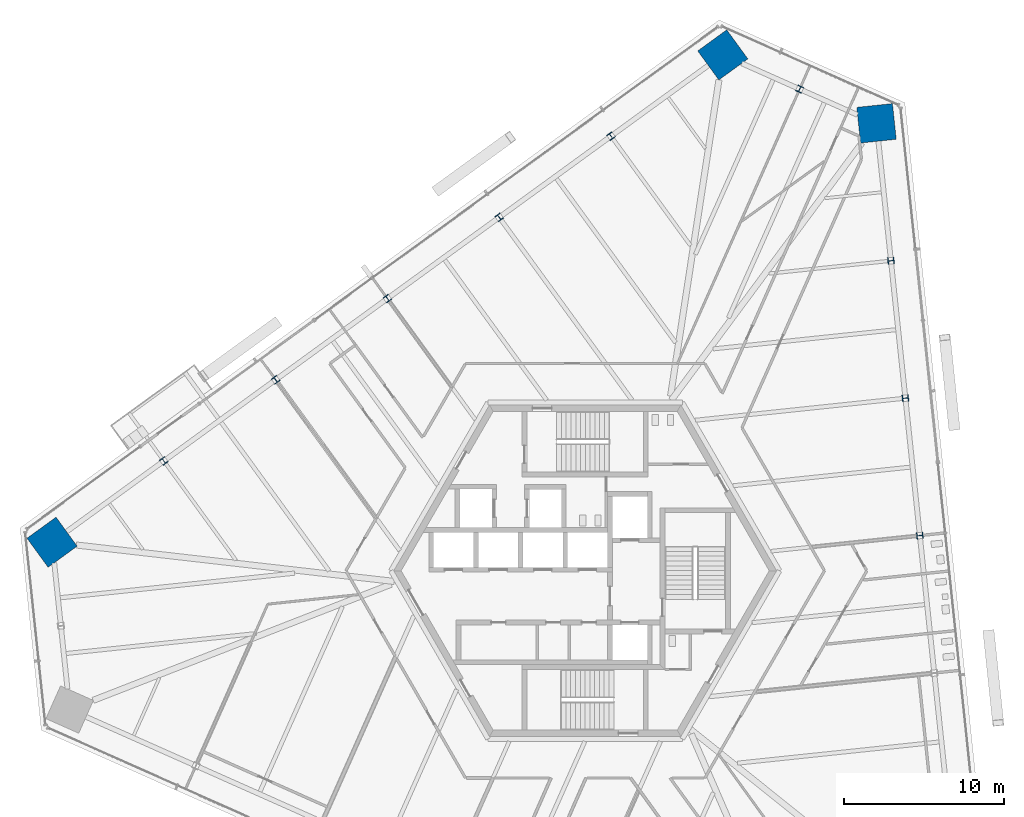
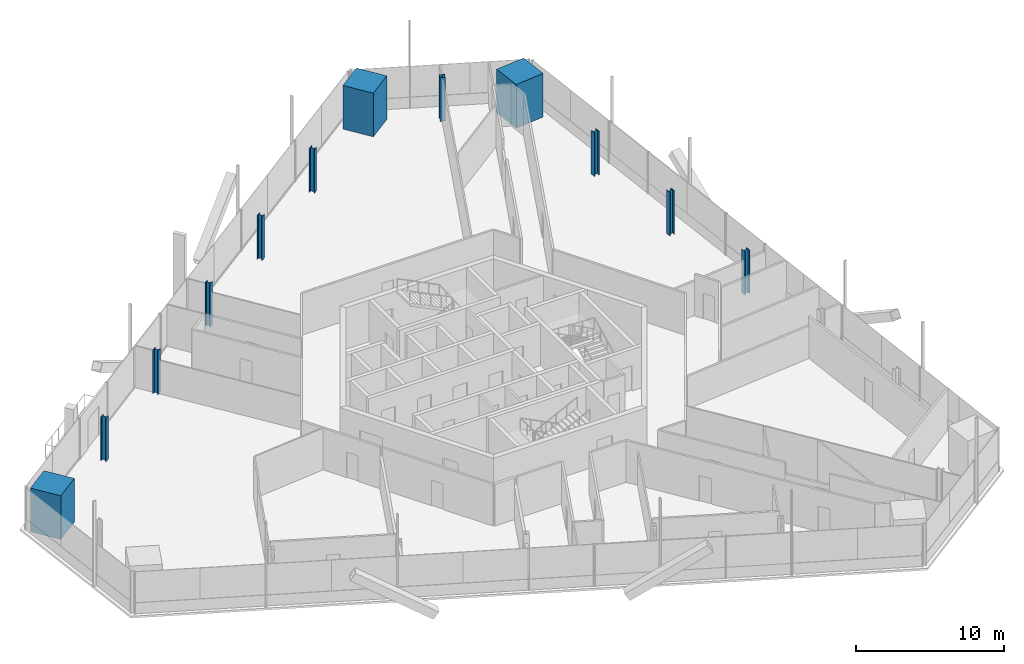
# One storey, part 2 of 21: 12 columns.
"""IFC4 building model written with IfcOpenShell, lengths in metres."""

import ifcopenshell
import ifcopenshell.guid

model = None  # the IFC model being written
_history = None  # IfcOwnerHistory: only IFC2X3 demands one
_inside = {}  # id of a spatial element -> (the spatial element, [elements in it])
_under = {}  # id of a project, library or spatial element -> (it, [spatial elements below it])
_declared = {}  # id of a project -> (the project, [libraries it declares])
_typed = {}  # id of a type object -> (the type object, [elements of that type])
_made_of = {}  # id of a material, layer set ... -> (it, [elements and type objects made of it])


def new_model(schema):
    """Start an empty IFC model of exactly this schema.

    Asked for "IFC4X3", IfcOpenShell would pick the latest addendum, in which some entities
    have other attributes; the version numbers below select the first issue.
    IFC2X3 requires an IfcOwnerHistory on every rooted entity: one is made here for all.
    """
    global model, _history
    if schema == "IFC4X3":
        model = ifcopenshell.file(schema_version=(4, 3, 0, 0))
    else:
        model = ifcopenshell.file(schema=schema)
    _inside.clear()
    _under.clear()
    _declared.clear()
    _typed.clear()
    _made_of.clear()
    _history = None
    if model.schema == "IFC2X3":
        org = make("IfcOrganization", Name="unknown")
        user = make(
            "IfcPersonAndOrganization",
            ThePerson=make("IfcPerson", FamilyName="unknown"),
            TheOrganization=org,
        )
        app = make(
            "IfcApplication",
            ApplicationDeveloper=org,
            Version="unknown",
            ApplicationFullName="unknown",
            ApplicationIdentifier="unknown",
        )
        _history = make(
            "IfcOwnerHistory",
            OwningUser=user,
            OwningApplication=app,
            ChangeAction="ADDED",
            CreationDate=0,
        )
    return model


def make(cls, **values):
    """One entity of the class cls with the attributes given. An attribute that is None is left unset."""
    return model.create_entity(
        cls, **{name: value for name, value in values.items() if value is not None}
    )


def rooted(cls, **values):
    """An entity with a GlobalId (a new one), such as an element, a storey or a relation."""
    return make(cls, GlobalId=ifcopenshell.guid.new(), OwnerHistory=_history, **values)


def si_unit(unit_type, name, prefix=None):
    """IfcSIUnit, for example si_unit("LENGTHUNIT", "METRE", prefix="MILLI")."""
    return make("IfcSIUnit", UnitType=unit_type, Prefix=prefix, Name=name)


def assignment(units):
    """IfcUnitAssignment: the units of a project."""
    return None if units is None else make("IfcUnitAssignment", Units=units)


def point(xyz):
    """IfcCartesianPoint."""
    return None if xyz is None else make("IfcCartesianPoint", Coordinates=xyz)


def direction(xyz):
    """IfcDirection."""
    return None if xyz is None else make("IfcDirection", DirectionRatios=xyz)


def frame(location, z_axis=None, x_axis=None):
    """IfcAxis2Placement3D, a coordinate frame: its origin and axes. An axis left out is left unset."""
    return make(
        "IfcAxis2Placement3D",
        Location=point(location),
        Axis=direction(z_axis),
        RefDirection=direction(x_axis),
    )


def frame_2d(location, x_axis=None):
    """IfcAxis2Placement2D, a coordinate frame in the plane: its origin and x axis."""
    return make(
        "IfcAxis2Placement2D", Location=point(location), RefDirection=direction(x_axis)
    )


def origin():
    """The frame at (0, 0, 0) with its axes left unset."""
    return frame((0.0, 0.0, 0.0))


def origin_2d():
    """The frame at (0, 0) in the plane with its x axis left unset."""
    return frame_2d((0.0, 0.0))


def place(relative_to, where):
    """IfcLocalPlacement: puts the frame where relative to a parent placement (None: the world)."""
    return make(
        "IfcLocalPlacement", PlacementRelTo=relative_to, RelativePlacement=where
    )


def context(
    kind, dimensions, precision=None, world=None, true_north=None, identifier=None
):
    """IfcGeometricRepresentationContext, for example the 3D "Model" context."""
    return make(
        "IfcGeometricRepresentationContext",
        ContextIdentifier=identifier,
        ContextType=kind,
        CoordinateSpaceDimension=dimensions,
        Precision=precision,
        WorldCoordinateSystem=world,
        TrueNorth=true_north,
    )


def subcontext(parent, identifier, kind, view, scale=None):
    """IfcGeometricRepresentationSubContext, for example "Body" below "Model"."""
    return make(
        "IfcGeometricRepresentationSubContext",
        ContextIdentifier=identifier,
        ContextType=kind,
        ParentContext=parent,
        TargetScale=scale,
        TargetView=view,
    )


def project(units=None, contexts=None):
    """IfcProject with its units and contexts."""
    return rooted(
        "IfcProject",
        Name="project",
        RepresentationContexts=contexts,
        UnitsInContext=assignment(units),
    )


def spatial(cls, under=None, at=None, **own):
    """A site, building, storey or space (cls), placed at a placement, below another one or the project."""
    s = rooted(cls, ObjectPlacement=at, **own)
    if under is not None:
        _under.setdefault(under.id(), (under, []))[1].append(s)
    return s


def profile(cls, at=None, kind="AREA", **sizes):
    """A parametric profile (cls). Its sizes go by their IFC names, for example OverallWidth=200.0."""
    return make(cls, ProfileType=kind, Position=at, **sizes)


def rectangle(**sizes):
    """IfcRectangleProfileDef."""
    return profile("IfcRectangleProfileDef", **sizes)


def i_section(**sizes):
    """IfcIShapeProfileDef."""
    return profile("IfcIShapeProfileDef", **sizes)


def extrude(swept, where, along, depth):
    """IfcExtrudedAreaSolid: the profile swept, set in the frame where, extruded along a direction by depth."""
    return make(
        "IfcExtrudedAreaSolid",
        SweptArea=swept,
        Position=where,
        ExtrudedDirection=direction(along),
        Depth=depth,
    )


def shape(context_of_items, identifier, shape_type, items):
    """IfcShapeRepresentation: the items that make up one representation, for example the "Body"."""
    return make(
        "IfcShapeRepresentation",
        ContextOfItems=context_of_items,
        RepresentationIdentifier=identifier,
        RepresentationType=shape_type,
        Items=items,
    )


def source(mapping_origin, context_of_items, identifier, shape_type, items):
    """IfcRepresentationMap: a shape defined once, which mapped items show again and again."""
    return make(
        "IfcRepresentationMap",
        MappingOrigin=mapping_origin,
        MappedRepresentation=shape(context_of_items, identifier, shape_type, items),
    )


def transform(
    local_origin,
    x_axis=None,
    y_axis=None,
    z_axis=None,
    scale=None,
    scale2=None,
    scale3=None,
    uniform=True,
):
    """IfcCartesianTransformationOperator3D, or its non-uniform kind. x_axis, y_axis, z_axis: its Axis1, 2, 3."""
    if uniform:
        return make(
            "IfcCartesianTransformationOperator3D",
            Axis1=direction(x_axis),
            Axis2=direction(y_axis),
            LocalOrigin=point(local_origin),
            Scale=scale,
            Axis3=direction(z_axis),
        )
    return make(
        "IfcCartesianTransformationOperator3DnonUniform",
        Axis1=direction(x_axis),
        Axis2=direction(y_axis),
        LocalOrigin=point(local_origin),
        Scale=scale,
        Axis3=direction(z_axis),
        Scale2=scale2,
        Scale3=scale3,
    )


def mapped(mapping_source, mapping_target):
    """IfcMappedItem: shows the shape of a source again, moved by a transform."""
    return make(
        "IfcMappedItem", MappingSource=mapping_source, MappingTarget=mapping_target
    )


def material(Name=None, Category=None):
    """IfcMaterial."""
    return make("IfcMaterial", Name=Name, Category=Category)


def material_profile(
    of_material, cross_section, Name=None, Category=None, Priority=None
):
    """IfcMaterialProfile: a cross section and its material."""
    return make(
        "IfcMaterialProfile",
        Name=Name,
        Material=of_material,
        Profile=cross_section,
        Priority=Priority,
        Category=Category,
    )


def profile_set(profiles, Name=None, composite=None):
    """IfcMaterialProfileSet."""
    return make(
        "IfcMaterialProfileSet",
        Name=Name,
        MaterialProfiles=profiles,
        CompositeProfile=composite,
    )


def made_of(thing, what):
    """Note that an element or type object is made of a material, layer set ...; save() writes the relation."""
    if what is not None:
        _made_of.setdefault(what.id(), (what, []))[1].append(thing)
    return thing


def type_object(cls, material=None, **own):
    """A type object (cls), such as IfcWallType, which elements share."""
    return made_of(rooted(cls, **own), material)


def element(
    cls,
    number,
    at=None,
    inside=None,
    cuts=None,
    type_object=None,
    material=None,
    context=None,
    identifier="Body",
    shape_type=None,
    held_by="IfcProductDefinitionShape",
    body=None,
    shapes=None,
    **own,
):
    """One element of the class cls, such as IfcWall. Its Tag is "e" and its number.

    at: its placement. inside: the storey or other place that contains it. cuts: it is an
    opening in that element (IfcRelVoidsElement). A single representation is given by context,
    identifier, shape_type and body (its items); several are given by shapes. held_by: the class
    of the entity that holds the representations. save() writes the other relations.
    """
    e = rooted(cls, Tag="e%d" % number, ObjectPlacement=at, **own)
    if body is not None:
        shapes = [shape(context, identifier, shape_type, body)]
    if shapes is not None:
        e.Representation = make(held_by, Representations=shapes)
    if inside is not None:
        _inside.setdefault(inside.id(), (inside, []))[1].append(e)
    if cuts is not None:
        rooted(
            "IfcRelVoidsElement", RelatingBuildingElement=cuts, RelatedOpeningElement=e
        )
    if type_object is not None:
        _typed.setdefault(type_object.id(), (type_object, []))[1].append(e)
    return made_of(e, material)


def aggregate(whole, parts):
    """IfcRelAggregates: a whole, such as a stair, and the parts it consists of."""
    return rooted("IfcRelAggregates", RelatingObject=whole, RelatedObjects=parts)


def save(model, path):
    """Write the relations noted so far, then the file.

    IfcRelAggregates (storeys below a building ...), IfcRelContainedInSpatialStructure (elements
    in a storey), IfcRelDefinesByType, IfcRelAssociatesMaterial and IfcRelDeclares: one each for
    every whole, place, type object, material and project.
    """
    for whole, parts in _under.values():
        aggregate(whole, parts)
    for where, things in _inside.values():
        rooted(
            "IfcRelContainedInSpatialStructure",
            RelatedElements=things,
            RelatingStructure=where,
        )
    for kind, things in _typed.values():
        rooted("IfcRelDefinesByType", RelatedObjects=things, RelatingType=kind)
    for what, things in _made_of.values():
        rooted("IfcRelAssociatesMaterial", RelatedObjects=things, RelatingMaterial=what)
    for by, libraries in _declared.values():
        rooted("IfcRelDeclares", RelatingContext=by, RelatedDefinitions=libraries)
    model.write(path)


model = new_model("IFC4")

# Units and contexts
model_context = context("Model", 3, precision=1e-05, world=origin(), true_north=direction((0.0, 1.0)))
body_context = subcontext(model_context, "Body", "Model", "MODEL_VIEW")
ifc_project = project(units=[si_unit("LENGTHUNIT", "METRE"), si_unit("AREAUNIT", "SQUARE_METRE"), si_unit("VOLUMEUNIT", "CUBIC_METRE"), si_unit("PLANEANGLEUNIT", "RADIAN"), si_unit("MASSUNIT", "GRAM", prefix="KILO")], contexts=[model_context])

# Site, building, storey
site_placement = place(None, origin())
site = spatial("IfcSite", under=ifc_project, at=site_placement, CompositionType="ELEMENT")
building_placement = place(site_placement, origin())
building = spatial("IfcBuilding", under=site, at=building_placement, Name="Triune Harvest Tower", CompositionType="ELEMENT")
storey_placement = place(building_placement, frame((0.0, 0.0, 80.10009765625)))
storey = spatial("IfcBuildingStorey", under=building, at=storey_placement, Name="L19", CompositionType="ELEMENT", Elevation=80.10009765625)

# Columns
ifc_material_1 = material(Name="Concrete 70 MPa", Category="concrete")
ifc_material_profile_1 = material_profile(ifc_material_1, rectangle(XDim=2.25, YDim=2.25, at=origin_2d()), Name="Composite 2250x2250")
ifc_profile_set_1 = profile_set([ifc_material_profile_1], Name="Concrete 70 MPa")
column_type_1 = type_object("IfcColumnType", Name="MC-2 Mega column Composite 2250x2250", PredefinedType="COLUMN", material=ifc_profile_set_1)
shared_shape_1 = source(origin(), body_context, "Body", "SweptSolid", [
    extrude(rectangle(XDim=2.25, YDim=2.25, at=origin_2d()), origin(), (0.0, 0.0, 1.0), 3.599853515625),
])
for number, where, z_axis, x_axis, name in (
    (1, (18.2607421875, 28.049072265625, 0.0), (0.0, 0.0, 1.0), (-0.104526727499, 0.994522077803, 0.0), "col/L19/M6"),
    (2, (8.625732421875, 32.3388671875, 0.0), (0.0, 0.0, 1.0), (-0.809016994375, -0.587785252292, 0.0), "col/L19/M8"),
    (3, (-33.42138671875, 1.789794921875, 0.0), (0.0, 0.0, 1.0), (-0.809016994375, -0.587785252292, 0.0), "col/L19/M14"),
):
    element("IfcColumn", number, at=place(storey_placement, frame(where, z_axis=z_axis, x_axis=x_axis)), inside=storey, type_object=column_type_1, Name=name, PredefinedType="COLUMN", context=body_context, shape_type="MappedRepresentation", body=[
        mapped(shared_shape_1, transform((0.0, 0.0, 0.0), scale=1.0)),
    ])
ifc_material_2 = material(Name="Steel ASTM A992 Gr 50", Category="steel")
ifc_material_profile_2 = material_profile(ifc_material_2, i_section(OverallWidth=0.398681640625, OverallDepth=0.393798828125, WebThickness=0.022705078125, FlangeThickness=0.03662109375, at=origin_2d()), Name="W14x193")
ifc_profile_set_2 = profile_set([ifc_material_profile_2], Name="Steel ASTM A992 Gr 50")
column_type_2 = type_object("IfcColumnType", Name="PC-2 Perimeter column W14x193", PredefinedType="COLUMN", material=ifc_profile_set_2)
shared_shape_2 = source(origin(), body_context, "Body", "SweptSolid", [
    extrude(i_section(OverallWidth=0.398681640625, OverallDepth=0.393798828125, WebThickness=0.022705078125, FlangeThickness=0.03662109375, at=origin_2d()), origin(), (0.0, 0.0, 1.0), 3.599853515625),
])
for number, where, z_axis, x_axis, name in (
    (4, (20.97705078125, 2.204833984375, 0.0), (0.0, 0.0, 1.0), (-0.104526727499, 0.994522077803, 0.0), "col/L19/P3"),
    (5, (20.071533203125, 10.819580078125, 0.0), (0.0, 0.0, 1.0), (-0.104526727499, 0.994522077803, 0.0), "col/L19/P4"),
    (6, (19.166015625, 19.434326171875, 0.0), (0.0, 0.0, 1.0), (-0.104526727499, 0.994522077803, 0.0), "col/L19/P5"),
    (7, (13.443115234375, 30.194091796875, 0.0), (0.0, 0.0, 1.0), (-0.913546877416, 0.406733454198, 0.0), "col/L19/P7"),
    (8, (1.617919921875, 27.247314453125, 0.0), (0.0, 0.0, 1.0), (-0.809016994375, -0.587785252292, 0.0), "col/L19/P9"),
    (9, (-5.389892578125, 22.15576171875, 0.0), (0.0, 0.0, 1.0), (-0.809016994375, -0.587785252292, 0.0), "col/L19/P10"),
    (10, (-12.39794921875, 17.064208984375, 0.0), (0.0, 0.0, 1.0), (-0.809016994375, -0.587785252292, 0.0), "col/L19/P11"),
    (11, (-19.40576171875, 11.97265625, 0.0), (0.0, 0.0, 1.0), (-0.809016994375, -0.587785252292, 0.0), "col/L19/P12"),
    (12, (-26.41357421875, 6.881103515625, 0.0), (0.0, 0.0, 1.0), (-0.809016994375, -0.587785252292, 0.0), "col/L19/P13"),
):
    element("IfcColumn", number, at=place(storey_placement, frame(where, z_axis=z_axis, x_axis=x_axis)), inside=storey, type_object=column_type_2, Name=name, PredefinedType="COLUMN", context=body_context, shape_type="MappedRepresentation", body=[
        mapped(shared_shape_2, transform((0.0, 0.0, 0.0), scale=1.0)),
    ])

save(model, "model.ifc")
